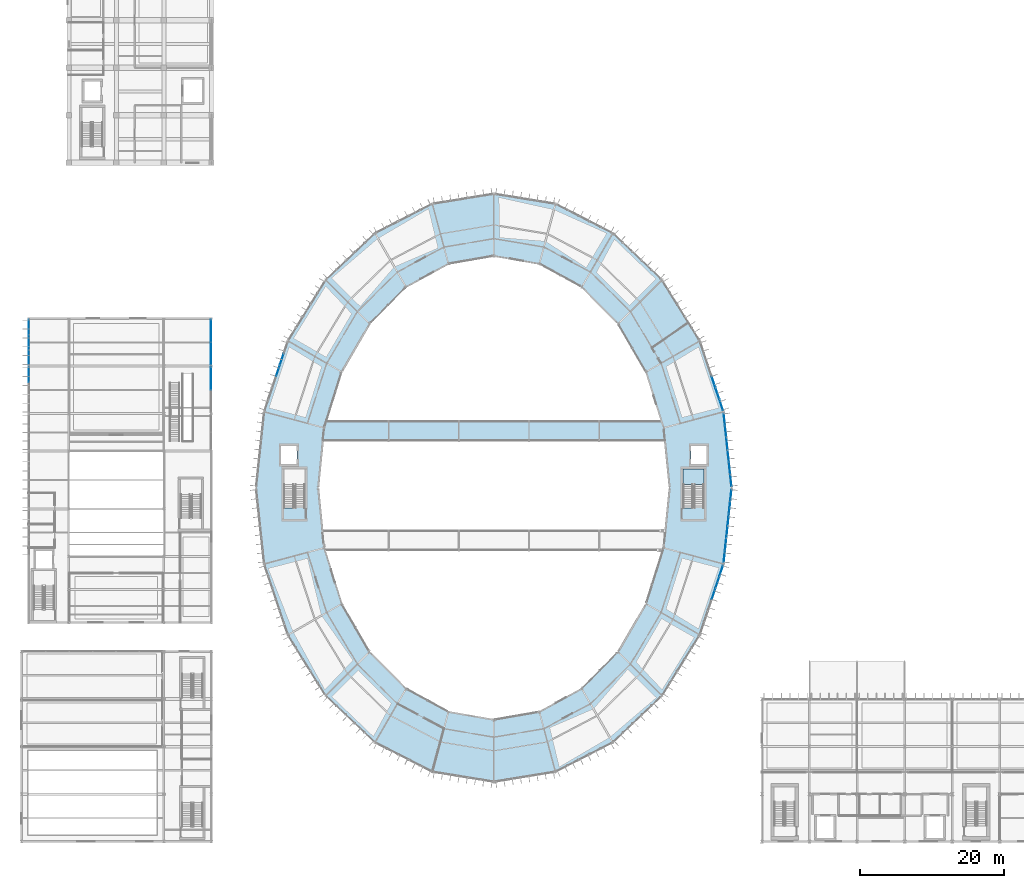
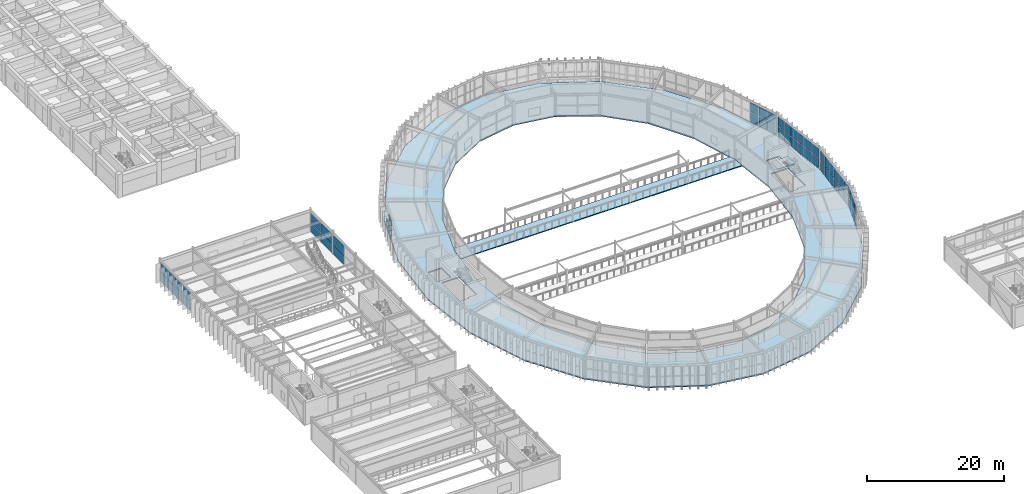
# One storey, part 103 of 148: 53 plates, 3 slabs, 10 elements without a shape of their own.
"""IFC4 building model written with IfcOpenShell, lengths in metres."""

import ifcopenshell
import ifcopenshell.guid

model = None  # the IFC model being written
_history = None  # IfcOwnerHistory: only IFC2X3 demands one
_inside = {}  # id of a spatial element -> (the spatial element, [elements in it])
_under = {}  # id of a project, library or spatial element -> (it, [spatial elements below it])
_declared = {}  # id of a project -> (the project, [libraries it declares])
_typed = {}  # id of a type object -> (the type object, [elements of that type])
_made_of = {}  # id of a material, layer set ... -> (it, [elements and type objects made of it])


def new_model(schema):
    """Start an empty IFC model of exactly this schema.

    Asked for "IFC4X3", IfcOpenShell would pick the latest addendum, in which some entities
    have other attributes; the version numbers below select the first issue.
    IFC2X3 requires an IfcOwnerHistory on every rooted entity: one is made here for all.
    """
    global model, _history
    if schema == "IFC4X3":
        model = ifcopenshell.file(schema_version=(4, 3, 0, 0))
    else:
        model = ifcopenshell.file(schema=schema)
    _inside.clear()
    _under.clear()
    _declared.clear()
    _typed.clear()
    _made_of.clear()
    _history = None
    if model.schema == "IFC2X3":
        org = make("IfcOrganization", Name="unknown")
        user = make(
            "IfcPersonAndOrganization",
            ThePerson=make("IfcPerson", FamilyName="unknown"),
            TheOrganization=org,
        )
        app = make(
            "IfcApplication",
            ApplicationDeveloper=org,
            Version="unknown",
            ApplicationFullName="unknown",
            ApplicationIdentifier="unknown",
        )
        _history = make(
            "IfcOwnerHistory",
            OwningUser=user,
            OwningApplication=app,
            ChangeAction="ADDED",
            CreationDate=0,
        )
    return model


def make(cls, **values):
    """One entity of the class cls with the attributes given. An attribute that is None is left unset."""
    return model.create_entity(
        cls, **{name: value for name, value in values.items() if value is not None}
    )


def rooted(cls, **values):
    """An entity with a GlobalId (a new one), such as an element, a storey or a relation."""
    return make(cls, GlobalId=ifcopenshell.guid.new(), OwnerHistory=_history, **values)


def si_unit(unit_type, name, prefix=None):
    """IfcSIUnit, for example si_unit("LENGTHUNIT", "METRE", prefix="MILLI")."""
    return make("IfcSIUnit", UnitType=unit_type, Prefix=prefix, Name=name)


def assignment(units):
    """IfcUnitAssignment: the units of a project."""
    return None if units is None else make("IfcUnitAssignment", Units=units)


def point(xyz):
    """IfcCartesianPoint."""
    return None if xyz is None else make("IfcCartesianPoint", Coordinates=xyz)


def direction(xyz):
    """IfcDirection."""
    return None if xyz is None else make("IfcDirection", DirectionRatios=xyz)


def frame(location, z_axis=None, x_axis=None):
    """IfcAxis2Placement3D, a coordinate frame: its origin and axes. An axis left out is left unset."""
    return make(
        "IfcAxis2Placement3D",
        Location=point(location),
        Axis=direction(z_axis),
        RefDirection=direction(x_axis),
    )


def frame_2d(location, x_axis=None):
    """IfcAxis2Placement2D, a coordinate frame in the plane: its origin and x axis."""
    return make(
        "IfcAxis2Placement2D", Location=point(location), RefDirection=direction(x_axis)
    )


def origin():
    """The frame at (0, 0, 0) with its axes left unset."""
    return frame((0.0, 0.0, 0.0))


def origin_2d():
    """The frame at (0, 0) in the plane with its x axis left unset."""
    return frame_2d((0.0, 0.0))


def place(relative_to, where):
    """IfcLocalPlacement: puts the frame where relative to a parent placement (None: the world)."""
    return make(
        "IfcLocalPlacement", PlacementRelTo=relative_to, RelativePlacement=where
    )


def context(
    kind, dimensions, precision=None, world=None, true_north=None, identifier=None
):
    """IfcGeometricRepresentationContext, for example the 3D "Model" context."""
    return make(
        "IfcGeometricRepresentationContext",
        ContextIdentifier=identifier,
        ContextType=kind,
        CoordinateSpaceDimension=dimensions,
        Precision=precision,
        WorldCoordinateSystem=world,
        TrueNorth=true_north,
    )


def subcontext(parent, identifier, kind, view, scale=None):
    """IfcGeometricRepresentationSubContext, for example "Body" below "Model"."""
    return make(
        "IfcGeometricRepresentationSubContext",
        ContextIdentifier=identifier,
        ContextType=kind,
        ParentContext=parent,
        TargetScale=scale,
        TargetView=view,
    )


def project(units=None, contexts=None):
    """IfcProject with its units and contexts."""
    return rooted(
        "IfcProject",
        Name="project",
        RepresentationContexts=contexts,
        UnitsInContext=assignment(units),
    )


def spatial(cls, under=None, at=None, **own):
    """A site, building, storey or space (cls), placed at a placement, below another one or the project."""
    s = rooted(cls, ObjectPlacement=at, **own)
    if under is not None:
        _under.setdefault(under.id(), (under, []))[1].append(s)
    return s


def polyline(points):
    """IfcPolyline through the points."""
    return make("IfcPolyline", Points=[point(p) for p in points])


def profile(cls, at=None, kind="AREA", **sizes):
    """A parametric profile (cls). Its sizes go by their IFC names, for example OverallWidth=200.0."""
    return make(cls, ProfileType=kind, Position=at, **sizes)


def rectangle(**sizes):
    """IfcRectangleProfileDef."""
    return profile("IfcRectangleProfileDef", **sizes)


def outline(outer, holes=None, kind="AREA"):
    """IfcArbitraryClosedProfileDef: a profile drawn as a closed curve; with holes, ...WithVoids."""
    if holes is None:
        return make("IfcArbitraryClosedProfileDef", ProfileType=kind, OuterCurve=outer)
    return make(
        "IfcArbitraryProfileDefWithVoids",
        ProfileType=kind,
        OuterCurve=outer,
        InnerCurves=holes,
    )


def extrude(swept, where, along, depth):
    """IfcExtrudedAreaSolid: the profile swept, set in the frame where, extruded along a direction by depth."""
    return make(
        "IfcExtrudedAreaSolid",
        SweptArea=swept,
        Position=where,
        ExtrudedDirection=direction(along),
        Depth=depth,
    )


def shape(context_of_items, identifier, shape_type, items):
    """IfcShapeRepresentation: the items that make up one representation, for example the "Body"."""
    return make(
        "IfcShapeRepresentation",
        ContextOfItems=context_of_items,
        RepresentationIdentifier=identifier,
        RepresentationType=shape_type,
        Items=items,
    )


def material(Name=None, Category=None):
    """IfcMaterial."""
    return make("IfcMaterial", Name=Name, Category=Category)


def layer(
    of_material, thickness, ventilated=None, Name=None, Category=None, Priority=None
):
    """IfcMaterialLayer: one layer of a wall or slab, of a material (None: an air gap)."""
    return make(
        "IfcMaterialLayer",
        Material=of_material,
        LayerThickness=thickness,
        IsVentilated=ventilated,
        Name=Name,
        Category=Category,
        Priority=Priority,
    )


def layer_set(layers, Name=None):
    """IfcMaterialLayerSet."""
    return make("IfcMaterialLayerSet", MaterialLayers=layers, LayerSetName=Name)


def made_of(thing, what):
    """Note that an element or type object is made of a material, layer set ...; save() writes the relation."""
    if what is not None:
        _made_of.setdefault(what.id(), (what, []))[1].append(thing)
    return thing


def type_object(cls, material=None, **own):
    """A type object (cls), such as IfcWallType, which elements share."""
    return made_of(rooted(cls, **own), material)


def element(
    cls,
    number,
    at=None,
    inside=None,
    cuts=None,
    type_object=None,
    material=None,
    context=None,
    identifier="Body",
    shape_type=None,
    held_by="IfcProductDefinitionShape",
    body=None,
    shapes=None,
    **own,
):
    """One element of the class cls, such as IfcWall. Its Tag is "e" and its number.

    at: its placement. inside: the storey or other place that contains it. cuts: it is an
    opening in that element (IfcRelVoidsElement). A single representation is given by context,
    identifier, shape_type and body (its items); several are given by shapes. held_by: the class
    of the entity that holds the representations. save() writes the other relations.
    """
    e = rooted(cls, Tag="e%d" % number, ObjectPlacement=at, **own)
    if body is not None:
        shapes = [shape(context, identifier, shape_type, body)]
    if shapes is not None:
        e.Representation = make(held_by, Representations=shapes)
    if inside is not None:
        _inside.setdefault(inside.id(), (inside, []))[1].append(e)
    if cuts is not None:
        rooted(
            "IfcRelVoidsElement", RelatingBuildingElement=cuts, RelatedOpeningElement=e
        )
    if type_object is not None:
        _typed.setdefault(type_object.id(), (type_object, []))[1].append(e)
    return made_of(e, material)


def aggregate(whole, parts):
    """IfcRelAggregates: a whole, such as a stair, and the parts it consists of."""
    return rooted("IfcRelAggregates", RelatingObject=whole, RelatedObjects=parts)


def save(model, path):
    """Write the relations noted so far, then the file.

    IfcRelAggregates (storeys below a building ...), IfcRelContainedInSpatialStructure (elements
    in a storey), IfcRelDefinesByType, IfcRelAssociatesMaterial and IfcRelDeclares: one each for
    every whole, place, type object, material and project.
    """
    for whole, parts in _under.values():
        aggregate(whole, parts)
    for where, things in _inside.values():
        rooted(
            "IfcRelContainedInSpatialStructure",
            RelatedElements=things,
            RelatingStructure=where,
        )
    for kind, things in _typed.values():
        rooted("IfcRelDefinesByType", RelatedObjects=things, RelatingType=kind)
    for what, things in _made_of.values():
        rooted("IfcRelAssociatesMaterial", RelatedObjects=things, RelatingMaterial=what)
    for by, libraries in _declared.values():
        rooted("IfcRelDeclares", RelatingContext=by, RelatedDefinitions=libraries)
    model.write(path)


model = new_model("IFC4")

# Units and contexts
model_context = context("Model", 3, precision=1e-05, world=origin(), true_north=direction((0.0, 1.0)))
body_context = subcontext(model_context, "Body", "Model", "MODEL_VIEW")
ifc_project = project(units=[si_unit("LENGTHUNIT", "METRE"), si_unit("AREAUNIT", "SQUARE_METRE"), si_unit("VOLUMEUNIT", "CUBIC_METRE"), si_unit("PLANEANGLEUNIT", "RADIAN"), si_unit("MASSUNIT", "GRAM", prefix="KILO")], contexts=[model_context])

# Site, building, storey
site_placement = place(None, origin())
site = spatial("IfcSite", under=ifc_project, at=site_placement, CompositionType="ELEMENT")
building_placement = place(site_placement, origin())
building = spatial("IfcBuilding", under=site, at=building_placement, Name="Karori Crest Natural Sciences Institute", CompositionType="ELEMENT")
storey_placement = place(building_placement, frame((0.0, 0.0, 4.89990234375)))
storey = spatial("IfcBuildingStorey", under=building, at=storey_placement, Name="L01", CompositionType="ELEMENT", Elevation=4.89990234375)

# Curtain wall, plates
ifc_material_1 = material(Name="Anodised architectural aluminium 6063-T6", Category="aluminium")
curtain_wall_type_1 = type_object("IfcCurtainWallType", Name="CWT-01", PredefinedType="NOTDEFINED", material=ifc_material_1)
curtain_wall_1_placement = place(storey_placement, origin())
curtain_wall_1 = element("IfcCurtainWall", 1, at=curtain_wall_1_placement, inside=storey, type_object=curtain_wall_type_1, Name="Curtain wall CW-0031", PredefinedType="NOTDEFINED")
ifc_material_2 = material(Name="Double low-E laminated glass", Category="glass")
ifc_layer_1 = layer(ifc_material_2, 0.02392578125, Name="Double low-E laminated glass")
ifc_layer_set_1 = layer_set([ifc_layer_1], Name="Double low-E laminated glass")
plate_type_1 = type_object("IfcPlateType", Name="CWP-01", PredefinedType="CURTAIN_PANEL", material=ifc_layer_set_1)
plate_1_placement = place(storey_placement, frame((98.386962890625, 59.414306640625, 0.06494140625), z_axis=(0.0, 0.0, 1.0), x_axis=(0.105881615789, -0.994378742451, 0.0)))
plate_1 = element("IfcPlate", 2, at=plate_1_placement, type_object=plate_type_1, Name="CW-0031 panel 1.1", PredefinedType="CURTAIN_PANEL", context=body_context, shape_type="SweptSolid", body=[
    extrude(rectangle(XDim=1.60107421875, YDim=0.02392578125, at=origin_2d()), origin(), (0.0, 0.0, 1.0), 1.715087890625),
])
plate_2_placement = place(storey_placement, frame((98.386962890625, 59.414306640625, 1.84521484375), z_axis=(0.0, 0.0, 1.0), x_axis=(0.105881615789, -0.994378742451, 0.0)))
plate_2 = element("IfcPlate", 3, at=plate_2_placement, type_object=plate_type_1, Name="CW-0031 panel 1.2", PredefinedType="CURTAIN_PANEL", context=body_context, shape_type="SweptSolid", body=[
    extrude(rectangle(XDim=1.60107421875, YDim=0.02392578125, at=origin_2d()), origin(), (0.0, 0.0, 1.0), 1.715087890625),
])
plate_3_placement = place(storey_placement, frame((98.56640625, 57.72900390625, 0.06494140625), z_axis=(0.0, 0.0, 1.0), x_axis=(0.105881615789, -0.994378742451, 0.0)))
plate_3 = element("IfcPlate", 4, at=plate_3_placement, type_object=plate_type_1, Name="CW-0031 panel 2.1", PredefinedType="CURTAIN_PANEL", context=body_context, shape_type="SweptSolid", body=[
    extrude(rectangle(XDim=1.638427734375, YDim=0.02392578125, at=origin_2d()), origin(), (0.0, 0.0, 1.0), 1.715087890625),
])
plate_4_placement = place(storey_placement, frame((98.56640625, 57.72900390625, 1.84521484375), z_axis=(0.0, 0.0, 1.0), x_axis=(0.105881615789, -0.994378742451, 0.0)))
plate_4 = element("IfcPlate", 5, at=plate_4_placement, type_object=plate_type_1, Name="CW-0031 panel 2.2", PredefinedType="CURTAIN_PANEL", context=body_context, shape_type="SweptSolid", body=[
    extrude(rectangle(XDim=1.638427734375, YDim=0.02392578125, at=origin_2d()), origin(), (0.0, 0.0, 1.0), 1.715087890625),
])
plate_5_placement = place(storey_placement, frame((98.747802734375, 56.025146484375, 0.06494140625), z_axis=(0.0, 0.0, 1.0), x_axis=(0.105881615789, -0.994378742451, 0.0)))
plate_5 = element("IfcPlate", 6, at=plate_5_placement, type_object=plate_type_1, Name="CW-0031 panel 3.1", PredefinedType="CURTAIN_PANEL", context=body_context, shape_type="SweptSolid", body=[
    extrude(rectangle(XDim=1.638427734375, YDim=0.02392578125, at=origin_2d()), origin(), (0.0, 0.0, 1.0), 1.715087890625),
])
plate_6_placement = place(storey_placement, frame((98.747802734375, 56.025146484375, 1.84521484375), z_axis=(0.0, 0.0, 1.0), x_axis=(0.105881615789, -0.994378742451, 0.0)))
plate_6 = element("IfcPlate", 7, at=plate_6_placement, type_object=plate_type_1, Name="CW-0031 panel 3.2", PredefinedType="CURTAIN_PANEL", context=body_context, shape_type="SweptSolid", body=[
    extrude(rectangle(XDim=1.638427734375, YDim=0.02392578125, at=origin_2d()), origin(), (0.0, 0.0, 1.0), 1.715087890625),
])
plate_7_placement = place(storey_placement, frame((98.92919921875, 54.3212890625, 0.06494140625), z_axis=(0.0, 0.0, 1.0), x_axis=(0.105881615789, -0.994378742451, 0.0)))
plate_7 = element("IfcPlate", 8, at=plate_7_placement, type_object=plate_type_1, Name="CW-0031 panel 4.1", PredefinedType="CURTAIN_PANEL", context=body_context, shape_type="SweptSolid", body=[
    extrude(rectangle(XDim=1.638427734375, YDim=0.02392578125, at=origin_2d()), origin(), (0.0, 0.0, 1.0), 1.715087890625),
])
plate_8_placement = place(storey_placement, frame((98.92919921875, 54.3212890625, 1.84521484375), z_axis=(0.0, 0.0, 1.0), x_axis=(0.105881615789, -0.994378742451, 0.0)))
plate_8 = element("IfcPlate", 9, at=plate_8_placement, type_object=plate_type_1, Name="CW-0031 panel 4.2", PredefinedType="CURTAIN_PANEL", context=body_context, shape_type="SweptSolid", body=[
    extrude(rectangle(XDim=1.638427734375, YDim=0.02392578125, at=origin_2d()), origin(), (0.0, 0.0, 1.0), 1.715087890625),
])
plate_9_placement = place(storey_placement, frame((99.110595703125, 52.617431640625, 0.06494140625), z_axis=(0.0, 0.0, 1.0), x_axis=(0.105881615789, -0.994378742451, 0.0)))
plate_9 = element("IfcPlate", 10, at=plate_9_placement, type_object=plate_type_1, Name="CW-0031 panel 5.1", PredefinedType="CURTAIN_PANEL", context=body_context, shape_type="SweptSolid", body=[
    extrude(rectangle(XDim=1.638427734375, YDim=0.02392578125, at=origin_2d()), origin(), (0.0, 0.0, 1.0), 1.715087890625),
])
plate_10_placement = place(storey_placement, frame((99.110595703125, 52.617431640625, 1.84521484375), z_axis=(0.0, 0.0, 1.0), x_axis=(0.105881615789, -0.994378742451, 0.0)))
plate_10 = element("IfcPlate", 11, at=plate_10_placement, type_object=plate_type_1, Name="CW-0031 panel 5.2", PredefinedType="CURTAIN_PANEL", context=body_context, shape_type="SweptSolid", body=[
    extrude(rectangle(XDim=1.638427734375, YDim=0.02392578125, at=origin_2d()), origin(), (0.0, 0.0, 1.0), 1.715087890625),
])
plate_11_placement = place(storey_placement, frame((99.2900390625, 50.93212890625, 0.06494140625), z_axis=(0.0, 0.0, 1.0), x_axis=(0.105881615789, -0.994378742451, 0.0)))
plate_11 = element("IfcPlate", 12, at=plate_11_placement, type_object=plate_type_1, Name="CW-0031 panel 6.1", PredefinedType="CURTAIN_PANEL", context=body_context, shape_type="SweptSolid", body=[
    extrude(rectangle(XDim=1.60107421875, YDim=0.02392578125, at=origin_2d()), origin(), (0.0, 0.0, 1.0), 1.715087890625),
])
plate_12_placement = place(storey_placement, frame((99.2900390625, 50.93212890625, 1.84521484375), z_axis=(0.0, 0.0, 1.0), x_axis=(0.105881615789, -0.994378742451, 0.0)))
plate_12 = element("IfcPlate", 13, at=plate_12_placement, type_object=plate_type_1, Name="CW-0031 panel 6.2", PredefinedType="CURTAIN_PANEL", context=body_context, shape_type="SweptSolid", body=[
    extrude(rectangle(XDim=1.60107421875, YDim=0.02392578125, at=origin_2d()), origin(), (0.0, 0.0, 1.0), 1.715087890625),
])
aggregate(curtain_wall_1, [plate_1, plate_2, plate_3, plate_4, plate_5, plate_6, plate_7, plate_8, plate_9, plate_10, plate_11, plate_12])

curtain_wall_type_2 = type_object("IfcCurtainWallType", Name="CWT-17", PredefinedType="NOTDEFINED", material=ifc_material_1)
curtain_wall_2_placement = place(storey_placement, origin())
curtain_wall_2 = element("IfcCurtainWall", 14, at=curtain_wall_2_placement, inside=storey, type_object=curtain_wall_type_2, Name="Curtain wall CW-0265", PredefinedType="NOTDEFINED")
plate_13_placement = place(storey_placement, frame((1.860107421875, 65.601806640625, 0.06005859375), z_axis=(0.0, 0.0, 1.0), x_axis=(0.0, 1.0, 0.0)))
plate_13 = element("IfcPlate", 15, at=plate_13_placement, type_object=plate_type_1, Name="CW-0265 panel 3.1", PredefinedType="CURTAIN_PANEL", context=body_context, shape_type="SweptSolid", body=[
    extrude(rectangle(XDim=2.0205078125, YDim=0.02392578125, at=origin_2d()), origin(), (0.0, 0.0, 1.0), 1.632568359375),
])
plate_14_placement = place(storey_placement, frame((1.860107421875, 65.601806640625, 1.75244140625), z_axis=(0.0, 0.0, 1.0), x_axis=(0.0, 1.0, 0.0)))
plate_14 = element("IfcPlate", 16, at=plate_14_placement, type_object=plate_type_1, Name="CW-0265 panel 3.2", PredefinedType="CURTAIN_PANEL", context=body_context, shape_type="SweptSolid", body=[
    extrude(rectangle(XDim=2.0205078125, YDim=0.02392578125, at=origin_2d()), origin(), (0.0, 0.0, 1.0), 1.632568359375),
])
aggregate(curtain_wall_2, [plate_13, plate_14])

curtain_wall_3_placement = place(storey_placement, origin())
curtain_wall_3 = element("IfcCurtainWall", 17, at=curtain_wall_3_placement, inside=storey, type_object=curtain_wall_type_2, Name="Curtain wall CW-0266", PredefinedType="NOTDEFINED")
plate_15_placement = place(storey_placement, frame((1.860107421875, 67.998291015625, 0.06005859375), z_axis=(0.0, 0.0, 1.0), x_axis=(0.0, 1.0, 0.0)))
plate_15 = element("IfcPlate", 18, at=plate_15_placement, type_object=plate_type_1, Name="CW-0266 panel 1.1", PredefinedType="CURTAIN_PANEL", context=body_context, shape_type="SweptSolid", body=[
    extrude(rectangle(XDim=2.0205078125, YDim=0.02392578125, at=origin_2d()), origin(), (0.0, 0.0, 1.0), 1.632568359375),
])
plate_16_placement = place(storey_placement, frame((1.860107421875, 67.998291015625, 1.75244140625), z_axis=(0.0, 0.0, 1.0), x_axis=(0.0, 1.0, 0.0)))
plate_16 = element("IfcPlate", 19, at=plate_16_placement, type_object=plate_type_1, Name="CW-0266 panel 1.2", PredefinedType="CURTAIN_PANEL", context=body_context, shape_type="SweptSolid", body=[
    extrude(rectangle(XDim=2.0205078125, YDim=0.02392578125, at=origin_2d()), origin(), (0.0, 0.0, 1.0), 1.632568359375),
])
plate_17_placement = place(storey_placement, frame((1.860107421875, 70.10009765625, 0.06005859375), z_axis=(0.0, 0.0, 1.0), x_axis=(0.0, 1.0, 0.0)))
plate_17 = element("IfcPlate", 20, at=plate_17_placement, type_object=plate_type_1, Name="CW-0266 panel 2.1", PredefinedType="CURTAIN_PANEL", context=body_context, shape_type="SweptSolid", body=[
    extrude(rectangle(XDim=2.052978515625, YDim=0.02392578125, at=origin_2d()), origin(), (0.0, 0.0, 1.0), 1.632568359375),
])
plate_18_placement = place(storey_placement, frame((1.860107421875, 70.10009765625, 1.75244140625), z_axis=(0.0, 0.0, 1.0), x_axis=(0.0, 1.0, 0.0)))
plate_18 = element("IfcPlate", 21, at=plate_18_placement, type_object=plate_type_1, Name="CW-0266 panel 2.2", PredefinedType="CURTAIN_PANEL", context=body_context, shape_type="SweptSolid", body=[
    extrude(rectangle(XDim=2.052978515625, YDim=0.02392578125, at=origin_2d()), origin(), (0.0, 0.0, 1.0), 1.632568359375),
])
plate_19_placement = place(storey_placement, frame((1.860107421875, 72.20166015625, 0.06005859375), z_axis=(0.0, 0.0, 1.0), x_axis=(0.0, 1.0, 0.0)))
plate_19 = element("IfcPlate", 22, at=plate_19_placement, type_object=plate_type_1, Name="CW-0266 panel 3.1", PredefinedType="CURTAIN_PANEL", context=body_context, shape_type="SweptSolid", body=[
    extrude(rectangle(XDim=2.0205078125, YDim=0.02392578125, at=origin_2d()), origin(), (0.0, 0.0, 1.0), 1.632568359375),
])
plate_20_placement = place(storey_placement, frame((1.860107421875, 72.20166015625, 1.75244140625), z_axis=(0.0, 0.0, 1.0), x_axis=(0.0, 1.0, 0.0)))
plate_20 = element("IfcPlate", 23, at=plate_20_placement, type_object=plate_type_1, Name="CW-0266 panel 3.2", PredefinedType="CURTAIN_PANEL", context=body_context, shape_type="SweptSolid", body=[
    extrude(rectangle(XDim=2.0205078125, YDim=0.02392578125, at=origin_2d()), origin(), (0.0, 0.0, 1.0), 1.632568359375),
])
aggregate(curtain_wall_3, [plate_15, plate_16, plate_17, plate_18, plate_19, plate_20])

curtain_wall_type_3 = type_object("IfcCurtainWallType", Name="CWT-18", PredefinedType="NOTDEFINED", material=ifc_material_1)
curtain_wall_4_placement = place(storey_placement, origin())
curtain_wall_4 = element("IfcCurtainWall", 24, at=curtain_wall_4_placement, inside=storey, type_object=curtain_wall_type_3, Name="Curtain wall CW-0268", PredefinedType="NOTDEFINED")
plate_21_placement = place(storey_placement, frame((27.139892578125, 65.072265625, 0.06005859375), z_axis=(0.0, 0.0, 1.0), x_axis=(0.0, -1.0, 0.0)))
plate_21 = element("IfcPlate", 25, at=plate_21_placement, type_object=plate_type_1, Name="CW-0268 panel 1.1", PredefinedType="CURTAIN_PANEL", context=body_context, shape_type="SweptSolid", body=[
    extrude(rectangle(XDim=3.07958984375, YDim=0.02392578125, at=origin_2d()), origin(), (0.0, 0.0, 1.0), 1.632568359375),
])
plate_22_placement = place(storey_placement, frame((27.139892578125, 65.072265625, 1.75244140625), z_axis=(0.0, 0.0, 1.0), x_axis=(0.0, -1.0, 0.0)))
plate_22 = element("IfcPlate", 26, at=plate_22_placement, type_object=plate_type_1, Name="CW-0268 panel 1.2", PredefinedType="CURTAIN_PANEL", context=body_context, shape_type="SweptSolid", body=[
    extrude(rectangle(XDim=3.07958984375, YDim=0.02392578125, at=origin_2d()), origin(), (0.0, 0.0, 1.0), 1.632568359375),
])
aggregate(curtain_wall_4, [plate_21, plate_22])

curtain_wall_5_placement = place(storey_placement, origin())
curtain_wall_5 = element("IfcCurtainWall", 27, at=curtain_wall_5_placement, inside=storey, type_object=curtain_wall_type_3, Name="Curtain wall CW-0269", PredefinedType="NOTDEFINED")
plate_23_placement = place(storey_placement, frame((27.139892578125, 71.67236328125, 0.06005859375), z_axis=(0.0, 0.0, 1.0), x_axis=(0.0, -1.0, 0.0)))
plate_23 = element("IfcPlate", 28, at=plate_23_placement, type_object=plate_type_1, Name="CW-0269 panel 1.1", PredefinedType="CURTAIN_PANEL", context=body_context, shape_type="SweptSolid", body=[
    extrude(rectangle(XDim=3.07958984375, YDim=0.02392578125, at=origin_2d()), origin(), (0.0, 0.0, 1.0), 1.632568359375),
])
plate_24_placement = place(storey_placement, frame((27.139892578125, 71.67236328125, 1.75244140625), z_axis=(0.0, 0.0, 1.0), x_axis=(0.0, -1.0, 0.0)))
plate_24 = element("IfcPlate", 29, at=plate_24_placement, type_object=plate_type_1, Name="CW-0269 panel 1.2", PredefinedType="CURTAIN_PANEL", context=body_context, shape_type="SweptSolid", body=[
    extrude(rectangle(XDim=3.07958984375, YDim=0.02392578125, at=origin_2d()), origin(), (0.0, 0.0, 1.0), 1.632568359375),
])
plate_25_placement = place(storey_placement, frame((27.139892578125, 68.52783203125, 0.06005859375), z_axis=(0.0, 0.0, 1.0), x_axis=(0.0, -1.0, 0.0)))
plate_25 = element("IfcPlate", 30, at=plate_25_placement, type_object=plate_type_1, Name="CW-0269 panel 2.1", PredefinedType="CURTAIN_PANEL", context=body_context, shape_type="SweptSolid", body=[
    extrude(rectangle(XDim=3.07958984375, YDim=0.02392578125, at=origin_2d()), origin(), (0.0, 0.0, 1.0), 1.632568359375),
])
plate_26_placement = place(storey_placement, frame((27.139892578125, 68.52783203125, 1.75244140625), z_axis=(0.0, 0.0, 1.0), x_axis=(0.0, -1.0, 0.0)))
plate_26 = element("IfcPlate", 31, at=plate_26_placement, type_object=plate_type_1, Name="CW-0269 panel 2.2", PredefinedType="CURTAIN_PANEL", context=body_context, shape_type="SweptSolid", body=[
    extrude(rectangle(XDim=3.07958984375, YDim=0.02392578125, at=origin_2d()), origin(), (0.0, 0.0, 1.0), 1.632568359375),
])
aggregate(curtain_wall_5, [plate_23, plate_24, plate_25, plate_26])

curtain_wall_type_4 = type_object("IfcCurtainWallType", Name="CWT-02", PredefinedType="NOTDEFINED", material=ifc_material_1)
curtain_wall_6_placement = place(storey_placement, origin())
curtain_wall_6 = element("IfcCurtainWall", 32, at=curtain_wall_6_placement, inside=storey, type_object=curtain_wall_type_4, Name="Curtain wall CW-0032", PredefinedType="NOTDEFINED")
ifc_layer_2 = layer(ifc_material_2, 0.033935546875, Name="Double low-E laminated glass")
ifc_layer_set_2 = layer_set([ifc_layer_2], Name="Double low-E laminated glass")
plate_type_2 = type_object("IfcPlateType", Name="CWP-02", PredefinedType="CURTAIN_PANEL", material=ifc_layer_set_2)
plate_27_placement = place(storey_placement, frame((96.890625, 64.593994140625, 0.06005859375), z_axis=(0.0, 0.0, 1.0), x_axis=(0.317685267462, -0.948196219586, 0.0)))
plate_27 = element("IfcPlate", 33, at=plate_27_placement, type_object=plate_type_2, Name="CW-0032 panel 4.1", PredefinedType="CURTAIN_PANEL", context=body_context, shape_type="SweptSolid", body=[
    extrude(rectangle(XDim=1.5986328125, YDim=0.033935546875, at=origin_2d()), origin(), (0.0, 0.0, 1.0), 1.722412109375),
])
plate_28_placement = place(storey_placement, frame((96.890625, 64.593994140625, 1.8427734375), z_axis=(0.0, 0.0, 1.0), x_axis=(0.317685267462, -0.948196219586, 0.0)))
plate_28 = element("IfcPlate", 34, at=plate_28_placement, type_object=plate_type_2, Name="CW-0032 panel 4.2", PredefinedType="CURTAIN_PANEL", context=body_context, shape_type="SweptSolid", body=[
    extrude(rectangle(XDim=1.5986328125, YDim=0.033935546875, at=origin_2d()), origin(), (0.0, 0.0, 1.0), 1.722412109375),
])
plate_29_placement = place(storey_placement, frame((97.42236328125, 63.0068359375, 0.06005859375), z_axis=(0.0, 0.0, 1.0), x_axis=(0.317685267462, -0.948196219586, 0.0)))
plate_29 = element("IfcPlate", 35, at=plate_29_placement, type_object=plate_type_2, Name="CW-0032 panel 5.1", PredefinedType="CURTAIN_PANEL", context=body_context, shape_type="SweptSolid", body=[
    extrude(rectangle(XDim=1.5986328125, YDim=0.033935546875, at=origin_2d()), origin(), (0.0, 0.0, 1.0), 1.722412109375),
])
plate_30_placement = place(storey_placement, frame((97.42236328125, 63.0068359375, 1.8427734375), z_axis=(0.0, 0.0, 1.0), x_axis=(0.317685267462, -0.948196219586, 0.0)))
plate_30 = element("IfcPlate", 36, at=plate_30_placement, type_object=plate_type_2, Name="CW-0032 panel 5.2", PredefinedType="CURTAIN_PANEL", context=body_context, shape_type="SweptSolid", body=[
    extrude(rectangle(XDim=1.5986328125, YDim=0.033935546875, at=origin_2d()), origin(), (0.0, 0.0, 1.0), 1.722412109375),
])
plate_31_placement = place(storey_placement, frame((97.947998046875, 61.437744140625, 0.06005859375), z_axis=(0.0, 0.0, 1.0), x_axis=(0.317685267462, -0.948196219586, 0.0)))
plate_31 = element("IfcPlate", 37, at=plate_31_placement, type_object=plate_type_2, Name="CW-0032 panel 6.1", PredefinedType="CURTAIN_PANEL", context=body_context, shape_type="SweptSolid", body=[
    extrude(rectangle(XDim=1.561279296875, YDim=0.033935546875, at=origin_2d()), origin(), (0.0, 0.0, 1.0), 1.722412109375),
])
plate_32_placement = place(storey_placement, frame((97.947998046875, 61.437744140625, 1.8427734375), z_axis=(0.0, 0.0, 1.0), x_axis=(0.317685267462, -0.948196219586, 0.0)))
plate_32 = element("IfcPlate", 38, at=plate_32_placement, type_object=plate_type_2, Name="CW-0032 panel 6.2", PredefinedType="CURTAIN_PANEL", context=body_context, shape_type="SweptSolid", body=[
    extrude(rectangle(XDim=1.561279296875, YDim=0.033935546875, at=origin_2d()), origin(), (0.0, 0.0, 1.0), 1.722412109375),
])
aggregate(curtain_wall_6, [plate_27, plate_28, plate_29, plate_30, plate_31, plate_32])

curtain_wall_7_placement = place(storey_placement, origin())
curtain_wall_7 = element("IfcCurtainWall", 39, at=curtain_wall_7_placement, inside=storey, type_object=curtain_wall_type_1, Name="Curtain wall CW-0045", PredefinedType="NOTDEFINED")
plate_33_placement = place(storey_placement, frame((36.43603515625, 66.165771484375, 0.06494140625), z_axis=(0.0, 0.0, 1.0), x_axis=(0.317685267462, 0.948196219586, 0.0)))
plate_33 = element("IfcPlate", 40, at=plate_33_placement, type_object=plate_type_2, Name="CW-0045 panel 4.1", PredefinedType="CURTAIN_PANEL", context=body_context, shape_type="SweptSolid", body=[
    extrude(rectangle(XDim=1.5986328125, YDim=0.033935546875, at=origin_2d()), origin(), (0.0, 0.0, 1.0), 1.715087890625),
])
plate_34_placement = place(storey_placement, frame((36.43603515625, 66.165771484375, 1.84521484375), z_axis=(0.0, 0.0, 1.0), x_axis=(0.317685267462, 0.948196219586, 0.0)))
plate_34 = element("IfcPlate", 41, at=plate_34_placement, type_object=plate_type_2, Name="CW-0045 panel 4.2", PredefinedType="CURTAIN_PANEL", context=body_context, shape_type="SweptSolid", body=[
    extrude(rectangle(XDim=1.5986328125, YDim=0.033935546875, at=origin_2d()), origin(), (0.0, 0.0, 1.0), 1.715087890625),
])
plate_35_placement = place(storey_placement, frame((36.9677734375, 67.7529296875, 0.06494140625), z_axis=(0.0, 0.0, 1.0), x_axis=(0.317685267462, 0.948196219586, 0.0)))
plate_35 = element("IfcPlate", 42, at=plate_35_placement, type_object=plate_type_2, Name="CW-0045 panel 5.1", PredefinedType="CURTAIN_PANEL", context=body_context, shape_type="SweptSolid", body=[
    extrude(rectangle(XDim=1.5986328125, YDim=0.033935546875, at=origin_2d()), origin(), (0.0, 0.0, 1.0), 1.715087890625),
])
aggregate(curtain_wall_7, [plate_33, plate_34, plate_35])

curtain_wall_type_5 = type_object("IfcCurtainWallType", Name="CWT-03", PredefinedType="NOTDEFINED", material=ifc_material_1)
curtain_wall_8_placement = place(storey_placement, origin())
curtain_wall_8 = element("IfcCurtainWall", 43, at=curtain_wall_8_placement, inside=storey, type_object=curtain_wall_type_5, Name="Curtain wall CW-0062", PredefinedType="NOTDEFINED")
plate_36_placement = place(storey_placement, frame((97.952880859375, 38.377197265625, 0.06494140625), z_axis=(0.0, 0.0, 1.0), x_axis=(-0.317685267462, -0.948196219586, 0.0)))
plate_36 = element("IfcPlate", 44, at=plate_36_placement, type_object=plate_type_2, Name="CW-0062 panel 1.1", PredefinedType="CURTAIN_PANEL", context=body_context, shape_type="SweptSolid", body=[
    extrude(rectangle(XDim=1.561279296875, YDim=0.033935546875, at=origin_2d()), origin(), (0.0, 0.0, 1.0), 1.715087890625),
])
plate_37_placement = place(storey_placement, frame((97.952880859375, 38.377197265625, 1.84521484375), z_axis=(0.0, 0.0, 1.0), x_axis=(-0.317685267462, -0.948196219586, 0.0)))
plate_37 = element("IfcPlate", 45, at=plate_37_placement, type_object=plate_type_2, Name="CW-0062 panel 1.2", PredefinedType="CURTAIN_PANEL", context=body_context, shape_type="SweptSolid", body=[
    extrude(rectangle(XDim=1.561279296875, YDim=0.033935546875, at=origin_2d()), origin(), (0.0, 0.0, 1.0), 1.715087890625),
])
plate_38_placement = place(storey_placement, frame((97.42724609375, 36.80810546875, 0.06494140625), z_axis=(0.0, 0.0, 1.0), x_axis=(-0.317685267462, -0.948196219586, 0.0)))
plate_38 = element("IfcPlate", 46, at=plate_38_placement, type_object=plate_type_2, Name="CW-0062 panel 2.1", PredefinedType="CURTAIN_PANEL", context=body_context, shape_type="SweptSolid", body=[
    extrude(rectangle(XDim=1.5986328125, YDim=0.033935546875, at=origin_2d()), origin(), (0.0, 0.0, 1.0), 1.715087890625),
])
plate_39_placement = place(storey_placement, frame((97.42724609375, 36.80810546875, 1.84521484375), z_axis=(0.0, 0.0, 1.0), x_axis=(-0.317685267462, -0.948196219586, 0.0)))
plate_39 = element("IfcPlate", 47, at=plate_39_placement, type_object=plate_type_2, Name="CW-0062 panel 2.2", PredefinedType="CURTAIN_PANEL", context=body_context, shape_type="SweptSolid", body=[
    extrude(rectangle(XDim=1.5986328125, YDim=0.033935546875, at=origin_2d()), origin(), (0.0, 0.0, 1.0), 1.715087890625),
])
plate_40_placement = place(storey_placement, frame((96.8955078125, 35.22119140625, 0.06494140625), z_axis=(0.0, 0.0, 1.0), x_axis=(-0.317685267462, -0.948196219586, 0.0)))
plate_40 = element("IfcPlate", 48, at=plate_40_placement, type_object=plate_type_2, Name="CW-0062 panel 3.1", PredefinedType="CURTAIN_PANEL", context=body_context, shape_type="SweptSolid", body=[
    extrude(rectangle(XDim=1.5986328125, YDim=0.033935546875, at=origin_2d()), origin(), (0.0, 0.0, 1.0), 1.715087890625),
])
plate_41_placement = place(storey_placement, frame((96.8955078125, 35.22119140625, 1.84521484375), z_axis=(0.0, 0.0, 1.0), x_axis=(-0.317685267462, -0.948196219586, 0.0)))
plate_41 = element("IfcPlate", 49, at=plate_41_placement, type_object=plate_type_2, Name="CW-0062 panel 3.2", PredefinedType="CURTAIN_PANEL", context=body_context, shape_type="SweptSolid", body=[
    extrude(rectangle(XDim=1.5986328125, YDim=0.033935546875, at=origin_2d()), origin(), (0.0, 0.0, 1.0), 1.715087890625),
])
aggregate(curtain_wall_8, [plate_36, plate_37, plate_38, plate_39, plate_40, plate_41])

curtain_wall_type_6 = type_object("IfcCurtainWallType", Name="CWT-04", PredefinedType="NOTDEFINED", material=ifc_material_1)
curtain_wall_9_placement = place(storey_placement, origin())
curtain_wall_9 = element("IfcCurtainWall", 50, at=curtain_wall_9_placement, inside=storey, type_object=curtain_wall_type_6, Name="Curtain wall CW-0064", PredefinedType="NOTDEFINED")
ifc_layer_3 = layer(ifc_material_2, 0.0439453125, Name="Double low-E laminated glass")
ifc_layer_set_3 = layer_set([ifc_layer_3], Name="Double low-E laminated glass")
plate_type_3 = type_object("IfcPlateType", Name="CWP-03", PredefinedType="CURTAIN_PANEL", material=ifc_layer_set_3)
plate_42_placement = place(storey_placement, frame((99.2900390625, 48.86669921875, 0.06005859375), z_axis=(0.0, 0.0, 1.0), x_axis=(-0.105884329618, -0.994378453478, 0.0)))
plate_42 = element("IfcPlate", 51, at=plate_42_placement, type_object=plate_type_3, Name="CW-0064 panel 1.1", PredefinedType="CURTAIN_PANEL", context=body_context, shape_type="SweptSolid", body=[
    extrude(rectangle(XDim=1.603759765625, YDim=0.0439453125, at=origin_2d()), origin(), (0.0, 0.0, 1.0), 1.722412109375),
])
plate_43_placement = place(storey_placement, frame((99.2900390625, 48.86669921875, 1.8427734375), z_axis=(0.0, 0.0, 1.0), x_axis=(-0.105884329618, -0.994378453478, 0.0)))
plate_43 = element("IfcPlate", 52, at=plate_43_placement, type_object=plate_type_3, Name="CW-0064 panel 1.2", PredefinedType="CURTAIN_PANEL", context=body_context, shape_type="SweptSolid", body=[
    extrude(rectangle(XDim=1.603759765625, YDim=0.0439453125, at=origin_2d()), origin(), (0.0, 0.0, 1.0), 1.722412109375),
])
plate_44_placement = place(storey_placement, frame((99.110107421875, 47.1787109375, 0.06005859375), z_axis=(0.0, 0.0, 1.0), x_axis=(-0.105884329618, -0.994378453478, 0.0)))
plate_44 = element("IfcPlate", 53, at=plate_44_placement, type_object=plate_type_3, Name="CW-0064 panel 2.1", PredefinedType="CURTAIN_PANEL", context=body_context, shape_type="SweptSolid", body=[
    extrude(rectangle(XDim=1.64111328125, YDim=0.0439453125, at=origin_2d()), origin(), (0.0, 0.0, 1.0), 1.722412109375),
])
plate_45_placement = place(storey_placement, frame((99.110107421875, 47.1787109375, 1.8427734375), z_axis=(0.0, 0.0, 1.0), x_axis=(-0.105884329618, -0.994378453478, 0.0)))
plate_45 = element("IfcPlate", 54, at=plate_45_placement, type_object=plate_type_3, Name="CW-0064 panel 2.2", PredefinedType="CURTAIN_PANEL", context=body_context, shape_type="SweptSolid", body=[
    extrude(rectangle(XDim=1.64111328125, YDim=0.0439453125, at=origin_2d()), origin(), (0.0, 0.0, 1.0), 1.722412109375),
])
plate_46_placement = place(storey_placement, frame((98.928466796875, 45.47216796875, 0.06005859375), z_axis=(0.0, 0.0, 1.0), x_axis=(-0.105884329618, -0.994378453478, 0.0)))
plate_46 = element("IfcPlate", 55, at=plate_46_placement, type_object=plate_type_3, Name="CW-0064 panel 3.1", PredefinedType="CURTAIN_PANEL", context=body_context, shape_type="SweptSolid", body=[
    extrude(rectangle(XDim=1.64111328125, YDim=0.0439453125, at=origin_2d()), origin(), (0.0, 0.0, 1.0), 1.722412109375),
])
plate_47_placement = place(storey_placement, frame((98.928466796875, 45.47216796875, 1.8427734375), z_axis=(0.0, 0.0, 1.0), x_axis=(-0.105884329618, -0.994378453478, 0.0)))
plate_47 = element("IfcPlate", 56, at=plate_47_placement, type_object=plate_type_3, Name="CW-0064 panel 3.2", PredefinedType="CURTAIN_PANEL", context=body_context, shape_type="SweptSolid", body=[
    extrude(rectangle(XDim=1.64111328125, YDim=0.0439453125, at=origin_2d()), origin(), (0.0, 0.0, 1.0), 1.722412109375),
])
plate_48_placement = place(storey_placement, frame((98.746826171875, 43.765625, 0.06005859375), z_axis=(0.0, 0.0, 1.0), x_axis=(-0.105884329618, -0.994378453478, 0.0)))
plate_48 = element("IfcPlate", 57, at=plate_48_placement, type_object=plate_type_3, Name="CW-0064 panel 4.1", PredefinedType="CURTAIN_PANEL", context=body_context, shape_type="SweptSolid", body=[
    extrude(rectangle(XDim=1.64111328125, YDim=0.0439453125, at=origin_2d()), origin(), (0.0, 0.0, 1.0), 1.722412109375),
])
plate_49_placement = place(storey_placement, frame((98.746826171875, 43.765625, 1.8427734375), z_axis=(0.0, 0.0, 1.0), x_axis=(-0.105884329618, -0.994378453478, 0.0)))
plate_49 = element("IfcPlate", 58, at=plate_49_placement, type_object=plate_type_3, Name="CW-0064 panel 4.2", PredefinedType="CURTAIN_PANEL", context=body_context, shape_type="SweptSolid", body=[
    extrude(rectangle(XDim=1.64111328125, YDim=0.0439453125, at=origin_2d()), origin(), (0.0, 0.0, 1.0), 1.722412109375),
])
plate_50_placement = place(storey_placement, frame((98.565185546875, 42.05908203125, 0.06005859375), z_axis=(0.0, 0.0, 1.0), x_axis=(-0.105884329618, -0.994378453478, 0.0)))
plate_50 = element("IfcPlate", 59, at=plate_50_placement, type_object=plate_type_3, Name="CW-0064 panel 5.1", PredefinedType="CURTAIN_PANEL", context=body_context, shape_type="SweptSolid", body=[
    extrude(rectangle(XDim=1.64111328125, YDim=0.0439453125, at=origin_2d()), origin(), (0.0, 0.0, 1.0), 1.722412109375),
])
plate_51_placement = place(storey_placement, frame((98.565185546875, 42.05908203125, 1.8427734375), z_axis=(0.0, 0.0, 1.0), x_axis=(-0.105884329618, -0.994378453478, 0.0)))
plate_51 = element("IfcPlate", 60, at=plate_51_placement, type_object=plate_type_3, Name="CW-0064 panel 5.2", PredefinedType="CURTAIN_PANEL", context=body_context, shape_type="SweptSolid", body=[
    extrude(rectangle(XDim=1.64111328125, YDim=0.0439453125, at=origin_2d()), origin(), (0.0, 0.0, 1.0), 1.722412109375),
])
plate_52_placement = place(storey_placement, frame((98.38525390625, 40.37109375, 0.06005859375), z_axis=(0.0, 0.0, 1.0), x_axis=(-0.105884329618, -0.994378453478, 0.0)))
plate_52 = element("IfcPlate", 61, at=plate_52_placement, type_object=plate_type_3, Name="CW-0064 panel 6.1", PredefinedType="CURTAIN_PANEL", context=body_context, shape_type="SweptSolid", body=[
    extrude(rectangle(XDim=1.603759765625, YDim=0.0439453125, at=origin_2d()), origin(), (0.0, 0.0, 1.0), 1.722412109375),
])
plate_53_placement = place(storey_placement, frame((98.38525390625, 40.37109375, 1.8427734375), z_axis=(0.0, 0.0, 1.0), x_axis=(-0.105884329618, -0.994378453478, 0.0)))
plate_53 = element("IfcPlate", 62, at=plate_53_placement, type_object=plate_type_3, Name="CW-0064 panel 6.2", PredefinedType="CURTAIN_PANEL", context=body_context, shape_type="SweptSolid", body=[
    extrude(rectangle(XDim=1.603759765625, YDim=0.0439453125, at=origin_2d()), origin(), (0.0, 0.0, 1.0), 1.722412109375),
])
aggregate(curtain_wall_9, [plate_42, plate_43, plate_44, plate_45, plate_46, plate_47, plate_48, plate_49, plate_50, plate_51, plate_52, plate_53])

# Slabs
ifc_material_3 = material(Name="Concrete 40 MPa", Category="concrete")
ifc_layer_4 = layer(ifc_material_3, 0.199951171875, Name="Concrete 40 MPa")
ifc_layer_set_4 = layer_set([ifc_layer_4], Name="Concrete 40 MPa")
slab_type_1 = type_object("IfcSlabType", Name="SLT-08", PredefinedType="FLOOR", material=ifc_layer_set_4)
slab_1_placement = place(storey_placement, frame((0.0, 0.0, -0.199951171875)))
element("IfcSlab", 63, at=slab_1_placement, inside=storey, type_object=slab_type_1, Name="V1 Slab SL-0003", PredefinedType="FLOOR", context=body_context, shape_type="SweptSolid", body=[
    extrude(outline(polyline([(99.39990234375, 49.89990234375), (98.275634765625, 60.459716796875), (94.978759765625, 70.300048828125), (89.734619140625, 78.75), (82.89990234375, 85.23388671875), (74.94091796875, 89.309814453125), (66.39990234375, 90.699951171875), (57.85888671875, 89.309814453125), (49.89990234375, 85.23388671875), (43.0654296875, 78.75), (37.8212890625, 70.300048828125), (34.5244140625, 60.459716796875), (33.39990234375, 49.89990234375), (34.5244140625, 39.340087890625), (37.8212890625, 29.5), (43.0654296875, 21.050048828125), (49.89990234375, 14.566162109375), (57.85888671875, 10.490234375), (66.39990234375, 9.10009765625), (74.94091796875, 10.490234375), (82.89990234375, 14.566162109375), (89.734619140625, 21.050048828125), (94.978759765625, 29.5), (98.275634765625, 39.340087890625), (99.39990234375, 49.89990234375)]), holes=[polyline([(89.968505859375, 41.56591796875), (87.531005859375, 33.800048828125), (83.6533203125, 27.131103515625), (78.60009765625, 22.013916015625), (72.715087890625, 18.797119140625), (66.39990234375, 17.699951171875), (60.084716796875, 18.797119140625), (54.199951171875, 22.013916015625), (49.146484375, 27.131103515625), (45.26904296875, 33.800048828125), (42.831298828125, 41.56591796875), (42.0, 49.89990234375), (42.831298828125, 58.23388671875), (45.26904296875, 66.0), (49.146484375, 72.668701171875), (54.199951171875, 77.785888671875), (60.084716796875, 81.002685546875), (66.39990234375, 82.10009765625), (72.715087890625, 81.002685546875), (78.60009765625, 77.785888671875), (83.6533203125, 72.668701171875), (87.531005859375, 66.0), (89.968505859375, 58.23388671875), (90.800048828125, 49.89990234375), (89.968505859375, 41.56591796875)]), polyline([(95.550048828125, 47.3798828125), (94.10009765625, 47.3798828125), (94.10009765625, 47.1005859375), (92.64990234375, 47.1005859375), (92.64990234375, 52.5), (95.550048828125, 52.5), (95.550048828125, 47.3798828125)]), polyline([(40.14990234375, 47.3798828125), (38.699951171875, 47.3798828125), (38.699951171875, 47.1005859375), (37.25, 47.1005859375), (37.25, 52.5), (40.14990234375, 52.5), (40.14990234375, 47.3798828125)]), polyline([(93.72509765625, 55.77490234375), (95.97509765625, 55.77490234375), (95.97509765625, 53.02490234375), (93.72509765625, 53.02490234375), (93.72509765625, 55.77490234375)]), polyline([(36.824951171875, 55.77490234375), (39.074951171875, 55.77490234375), (39.074951171875, 53.02490234375), (36.824951171875, 53.02490234375), (36.824951171875, 55.77490234375)])]), origin(), (0.0, 0.0, 1.0), 0.199951171875),
])
ifc_layer_5 = layer(ifc_material_3, 0.159912109375, Name="Concrete 40 MPa")
ifc_layer_set_5 = layer_set([ifc_layer_5], Name="Concrete 40 MPa")
slab_type_2 = type_object("IfcSlabType", Name="SLT-10", PredefinedType="FLOOR", material=ifc_layer_set_5)
slab_2_placement = place(storey_placement, frame((0.0, 0.0, -0.159912109375)))
element("IfcSlab", 64, at=slab_2_placement, inside=storey, type_object=slab_type_2, Name="V1-BR Slab SL-0109", PredefinedType="FLOOR", context=body_context, shape_type="SweptSolid", body=[
    extrude(outline(polyline([(43.14306640625, 59.199951171875), (42.83935546875, 58.232421875), (42.656494140625, 56.39990234375), (90.1435546875, 56.39990234375), (89.960693359375, 58.232421875), (89.656982421875, 59.199951171875), (43.14306640625, 59.199951171875)])), origin(), (0.0, 0.0, 1.0), 0.159912109375),
])

# Stair, slab
stair_type = type_object("IfcStairType", Name="STT-01", PredefinedType="HALF_TURN_STAIR", material=ifc_material_3)
stair_placement = place(storey_placement, origin())
stair = element("IfcStair", 65, at=stair_placement, inside=storey, type_object=stair_type, Name="Protected stair ST-01-L01", PredefinedType="HALF_TURN_STAIR")
ifc_layer_6 = layer(ifc_material_3, 0.2099609375, Name="Concrete 40 MPa")
ifc_layer_set_6 = layer_set([ifc_layer_6], Name="Concrete 40 MPa")
slab_type_3 = type_object("IfcSlabType", Name="SLT-11", PredefinedType="LANDING", material=ifc_layer_set_6)
slab_3_placement = place(storey_placement, frame((0.0, 0.0, 1.89013671875)))
slab_3 = element("IfcSlab", 66, at=slab_3_placement, type_object=slab_type_3, Name="ST-01-L01 landing 1", PredefinedType="LANDING", context=body_context, shape_type="SweptSolid", body=[
    extrude(outline(polyline([(95.550048828125, 50.39990234375), (95.550048828125, 52.5), (92.64990234375, 52.5), (92.64990234375, 50.39990234375), (95.550048828125, 50.39990234375)])), origin(), (0.0, 0.0, 1.0), 0.2099609375),
])
aggregate(stair, [slab_3])

save(model, "model.ifc")
